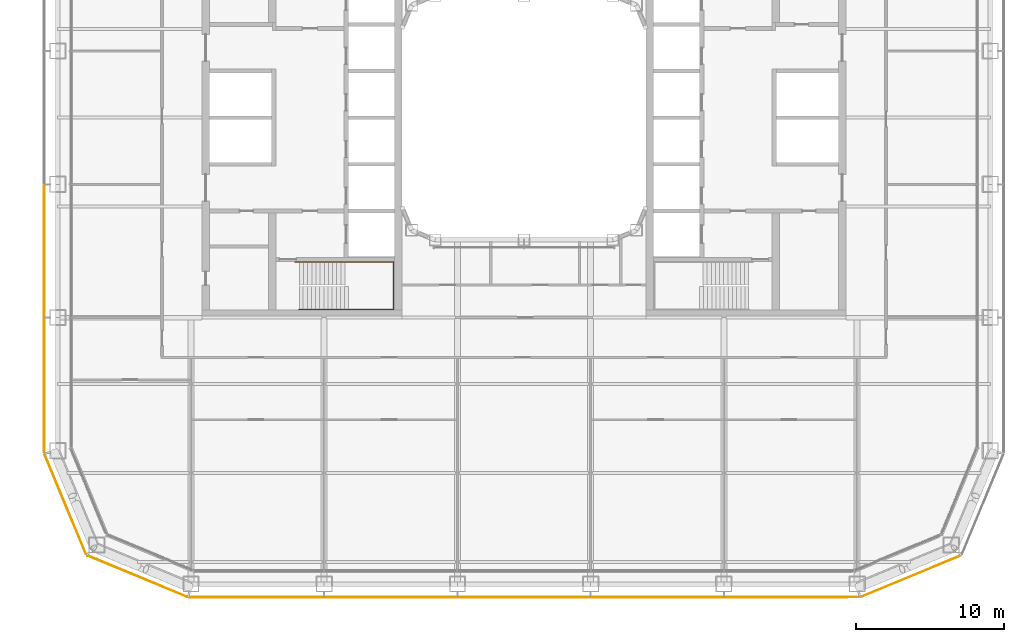
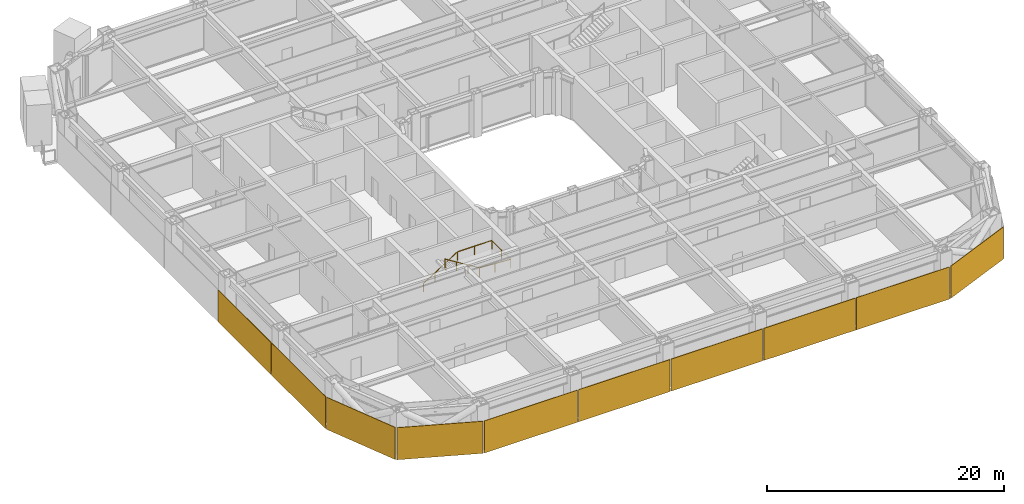
# One storey, part 23 of 28: 10 coverings, 1 railing.
"""IFC4 building model written with IfcOpenShell, lengths in metres."""

import ifcopenshell
import ifcopenshell.guid

model = None  # the IFC model being written
_history = None  # IfcOwnerHistory: only IFC2X3 demands one
_inside = {}  # id of a spatial element -> (the spatial element, [elements in it])
_under = {}  # id of a project, library or spatial element -> (it, [spatial elements below it])
_declared = {}  # id of a project -> (the project, [libraries it declares])
_typed = {}  # id of a type object -> (the type object, [elements of that type])
_made_of = {}  # id of a material, layer set ... -> (it, [elements and type objects made of it])


def new_model(schema):
    """Start an empty IFC model of exactly this schema.

    Asked for "IFC4X3", IfcOpenShell would pick the latest addendum, in which some entities
    have other attributes; the version numbers below select the first issue.
    IFC2X3 requires an IfcOwnerHistory on every rooted entity: one is made here for all.
    """
    global model, _history
    if schema == "IFC4X3":
        model = ifcopenshell.file(schema_version=(4, 3, 0, 0))
    else:
        model = ifcopenshell.file(schema=schema)
    _inside.clear()
    _under.clear()
    _declared.clear()
    _typed.clear()
    _made_of.clear()
    _history = None
    if model.schema == "IFC2X3":
        org = make("IfcOrganization", Name="unknown")
        user = make(
            "IfcPersonAndOrganization",
            ThePerson=make("IfcPerson", FamilyName="unknown"),
            TheOrganization=org,
        )
        app = make(
            "IfcApplication",
            ApplicationDeveloper=org,
            Version="unknown",
            ApplicationFullName="unknown",
            ApplicationIdentifier="unknown",
        )
        _history = make(
            "IfcOwnerHistory",
            OwningUser=user,
            OwningApplication=app,
            ChangeAction="ADDED",
            CreationDate=0,
        )
    return model


def make(cls, **values):
    """One entity of the class cls with the attributes given. An attribute that is None is left unset."""
    return model.create_entity(
        cls, **{name: value for name, value in values.items() if value is not None}
    )


def rooted(cls, **values):
    """An entity with a GlobalId (a new one), such as an element, a storey or a relation."""
    return make(cls, GlobalId=ifcopenshell.guid.new(), OwnerHistory=_history, **values)


def si_unit(unit_type, name, prefix=None):
    """IfcSIUnit, for example si_unit("LENGTHUNIT", "METRE", prefix="MILLI")."""
    return make("IfcSIUnit", UnitType=unit_type, Prefix=prefix, Name=name)


def assignment(units):
    """IfcUnitAssignment: the units of a project."""
    return None if units is None else make("IfcUnitAssignment", Units=units)


def point(xyz):
    """IfcCartesianPoint."""
    return None if xyz is None else make("IfcCartesianPoint", Coordinates=xyz)


def direction(xyz):
    """IfcDirection."""
    return None if xyz is None else make("IfcDirection", DirectionRatios=xyz)


def frame(location, z_axis=None, x_axis=None):
    """IfcAxis2Placement3D, a coordinate frame: its origin and axes. An axis left out is left unset."""
    return make(
        "IfcAxis2Placement3D",
        Location=point(location),
        Axis=direction(z_axis),
        RefDirection=direction(x_axis),
    )


def frame_2d(location, x_axis=None):
    """IfcAxis2Placement2D, a coordinate frame in the plane: its origin and x axis."""
    return make(
        "IfcAxis2Placement2D", Location=point(location), RefDirection=direction(x_axis)
    )


def origin():
    """The frame at (0, 0, 0) with its axes left unset."""
    return frame((0.0, 0.0, 0.0))


def origin_2d():
    """The frame at (0, 0) in the plane with its x axis left unset."""
    return frame_2d((0.0, 0.0))


def place(relative_to, where):
    """IfcLocalPlacement: puts the frame where relative to a parent placement (None: the world)."""
    return make(
        "IfcLocalPlacement", PlacementRelTo=relative_to, RelativePlacement=where
    )


def context(
    kind, dimensions, precision=None, world=None, true_north=None, identifier=None
):
    """IfcGeometricRepresentationContext, for example the 3D "Model" context."""
    return make(
        "IfcGeometricRepresentationContext",
        ContextIdentifier=identifier,
        ContextType=kind,
        CoordinateSpaceDimension=dimensions,
        Precision=precision,
        WorldCoordinateSystem=world,
        TrueNorth=true_north,
    )


def subcontext(parent, identifier, kind, view, scale=None):
    """IfcGeometricRepresentationSubContext, for example "Body" below "Model"."""
    return make(
        "IfcGeometricRepresentationSubContext",
        ContextIdentifier=identifier,
        ContextType=kind,
        ParentContext=parent,
        TargetScale=scale,
        TargetView=view,
    )


def project(units=None, contexts=None):
    """IfcProject with its units and contexts."""
    return rooted(
        "IfcProject",
        Name="project",
        RepresentationContexts=contexts,
        UnitsInContext=assignment(units),
    )


def spatial(cls, under=None, at=None, **own):
    """A site, building, storey or space (cls), placed at a placement, below another one or the project."""
    s = rooted(cls, ObjectPlacement=at, **own)
    if under is not None:
        _under.setdefault(under.id(), (under, []))[1].append(s)
    return s


def profile(cls, at=None, kind="AREA", **sizes):
    """A parametric profile (cls). Its sizes go by their IFC names, for example OverallWidth=200.0."""
    return make(cls, ProfileType=kind, Position=at, **sizes)


def rectangle(**sizes):
    """IfcRectangleProfileDef."""
    return profile("IfcRectangleProfileDef", **sizes)


def circle(**sizes):
    """IfcCircleProfileDef."""
    return profile("IfcCircleProfileDef", **sizes)


def extrude(swept, where, along, depth):
    """IfcExtrudedAreaSolid: the profile swept, set in the frame where, extruded along a direction by depth."""
    return make(
        "IfcExtrudedAreaSolid",
        SweptArea=swept,
        Position=where,
        ExtrudedDirection=direction(along),
        Depth=depth,
    )


def shape(context_of_items, identifier, shape_type, items):
    """IfcShapeRepresentation: the items that make up one representation, for example the "Body"."""
    return make(
        "IfcShapeRepresentation",
        ContextOfItems=context_of_items,
        RepresentationIdentifier=identifier,
        RepresentationType=shape_type,
        Items=items,
    )


def material(Name=None, Category=None):
    """IfcMaterial."""
    return make("IfcMaterial", Name=Name, Category=Category)


def layer(
    of_material, thickness, ventilated=None, Name=None, Category=None, Priority=None
):
    """IfcMaterialLayer: one layer of a wall or slab, of a material (None: an air gap)."""
    return make(
        "IfcMaterialLayer",
        Material=of_material,
        LayerThickness=thickness,
        IsVentilated=ventilated,
        Name=Name,
        Category=Category,
        Priority=Priority,
    )


def layer_set(layers, Name=None):
    """IfcMaterialLayerSet."""
    return make("IfcMaterialLayerSet", MaterialLayers=layers, LayerSetName=Name)


def made_of(thing, what):
    """Note that an element or type object is made of a material, layer set ...; save() writes the relation."""
    if what is not None:
        _made_of.setdefault(what.id(), (what, []))[1].append(thing)
    return thing


def type_object(cls, material=None, **own):
    """A type object (cls), such as IfcWallType, which elements share."""
    return made_of(rooted(cls, **own), material)


def element(
    cls,
    number,
    at=None,
    inside=None,
    cuts=None,
    type_object=None,
    material=None,
    context=None,
    identifier="Body",
    shape_type=None,
    held_by="IfcProductDefinitionShape",
    body=None,
    shapes=None,
    **own,
):
    """One element of the class cls, such as IfcWall. Its Tag is "e" and its number.

    at: its placement. inside: the storey or other place that contains it. cuts: it is an
    opening in that element (IfcRelVoidsElement). A single representation is given by context,
    identifier, shape_type and body (its items); several are given by shapes. held_by: the class
    of the entity that holds the representations. save() writes the other relations.
    """
    e = rooted(cls, Tag="e%d" % number, ObjectPlacement=at, **own)
    if body is not None:
        shapes = [shape(context, identifier, shape_type, body)]
    if shapes is not None:
        e.Representation = make(held_by, Representations=shapes)
    if inside is not None:
        _inside.setdefault(inside.id(), (inside, []))[1].append(e)
    if cuts is not None:
        rooted(
            "IfcRelVoidsElement", RelatingBuildingElement=cuts, RelatedOpeningElement=e
        )
    if type_object is not None:
        _typed.setdefault(type_object.id(), (type_object, []))[1].append(e)
    return made_of(e, material)


def aggregate(whole, parts):
    """IfcRelAggregates: a whole, such as a stair, and the parts it consists of."""
    return rooted("IfcRelAggregates", RelatingObject=whole, RelatedObjects=parts)


def save(model, path):
    """Write the relations noted so far, then the file.

    IfcRelAggregates (storeys below a building ...), IfcRelContainedInSpatialStructure (elements
    in a storey), IfcRelDefinesByType, IfcRelAssociatesMaterial and IfcRelDeclares: one each for
    every whole, place, type object, material and project.
    """
    for whole, parts in _under.values():
        aggregate(whole, parts)
    for where, things in _inside.values():
        rooted(
            "IfcRelContainedInSpatialStructure",
            RelatedElements=things,
            RelatingStructure=where,
        )
    for kind, things in _typed.values():
        rooted("IfcRelDefinesByType", RelatedObjects=things, RelatingType=kind)
    for what, things in _made_of.values():
        rooted("IfcRelAssociatesMaterial", RelatedObjects=things, RelatingMaterial=what)
    for by, libraries in _declared.values():
        rooted("IfcRelDeclares", RelatingContext=by, RelatedDefinitions=libraries)
    model.write(path)


model = new_model("IFC4")

# Units and contexts
model_context = context("Model", 3, precision=1e-05, world=origin(), true_north=direction((0.0, 1.0)))
body_context = subcontext(model_context, "Body", "Model", "MODEL_VIEW")
ifc_project = project(units=[si_unit("LENGTHUNIT", "METRE"), si_unit("AREAUNIT", "SQUARE_METRE"), si_unit("VOLUMEUNIT", "CUBIC_METRE"), si_unit("PLANEANGLEUNIT", "RADIAN"), si_unit("MASSUNIT", "GRAM", prefix="KILO")], contexts=[model_context])

# Site, building, storey
site_placement = place(None, origin())
site = spatial("IfcSite", under=ifc_project, at=site_placement, CompositionType="ELEMENT")
building_placement = place(site_placement, origin())
building = spatial("IfcBuilding", under=site, at=building_placement, Name="Siwar Civic Tower", CompositionType="ELEMENT")
storey_placement = place(building_placement, frame((0.0, 0.0, 31.199951171875)))
storey = spatial("IfcBuildingStorey", under=building, at=storey_placement, Name="L06", CompositionType="ELEMENT", Elevation=31.199951171875)

# Railing
ifc_material_1 = material(Name="Stainless steel", Category="steel")
railing_type = type_object("IfcRailingType", Name="CORE-STAIR-HANDRAIL", PredefinedType="HANDRAIL", material=ifc_material_1)
railing_placement = place(storey_placement, frame((-15.449951171875, -9.758056640625, 0.173095703125)))
element("IfcRailing", 1, at=railing_placement, inside=storey, type_object=railing_type, Name="Stair handrail ST2", PredefinedType="HANDRAIL", context=body_context, shape_type="SweptSolid", body=[
    extrude(circle(Radius=0.02001953125, at=origin_2d()), frame((0.0, 0.0, 0.8798828125), z_axis=(0.847063342986, 0.0, 0.531491950051), x_axis=(0.0, 1.0, 0.0)), (0.0, 0.0, 1.0), 3.90771484375),
    extrude(circle(Radius=0.02001953125, at=origin_2d()), frame((3.31005859375, 0.0, 2.956787109375), z_axis=(1.0, 0.0, 0.0), x_axis=(0.0, 1.0, 0.0)), (0.0, 0.0, 1.0), 3.331787109375),
    extrude(circle(Radius=0.02001953125, at=origin_2d()), frame((6.641845703125, 0.0, 2.956787109375), z_axis=(0.0, -1.0, 0.0), x_axis=(1.0, 0.0, 0.0)), (0.0, 0.0, 1.0), 3.183837890625),
    extrude(circle(Radius=0.02001953125, at=origin_2d()), frame((6.641845703125, -3.183837890625, 2.956787109375), z_axis=(-0.99837434197, 0.0, 0.056997134106), x_axis=(0.0, -1.0, 0.0)), (0.0, 0.0, 1.0), 3.036865234375),
    extrude(circle(Radius=0.02001953125, at=origin_2d()), frame((3.60986328125, -3.183837890625, 3.1298828125), z_axis=(-0.850606129759, 0.0, 0.525803396734), x_axis=(0.0, -1.0, 0.0)), (0.0, 0.0, 1.0), 3.949951171875),
    extrude(circle(Radius=0.02001953125, at=origin_2d()), origin(), (0.0, 0.0, 1.0), 0.85986328125),
    extrude(circle(Radius=0.02001953125, at=origin_2d()), frame((1.103271484375, 0.0, 0.6923828125)), (0.0, 0.0, 1.0), 0.85986328125),
    extrude(circle(Radius=0.02001953125, at=origin_2d()), frame((2.206787109375, 0.0, 1.384521484375)), (0.0, 0.0, 1.0), 0.85986328125),
    extrude(circle(Radius=0.02001953125, at=origin_2d()), frame((3.31005859375, 0.0, 2.076904296875)), (0.0, 0.0, 1.0), 0.85986328125),
    extrude(circle(Radius=0.02001953125, at=origin_2d()), frame((4.97607421875, 0.0, 2.076904296875)), (0.0, 0.0, 1.0), 0.85986328125),
    extrude(circle(Radius=0.02001953125, at=origin_2d()), frame((6.641845703125, 0.0, 2.076904296875)), (0.0, 0.0, 1.0), 0.85986328125),
    extrude(circle(Radius=0.02001953125, at=origin_2d()), frame((6.641845703125, -1.591796875, 2.076904296875)), (0.0, 0.0, 1.0), 0.85986328125),
    extrude(circle(Radius=0.02001953125, at=origin_2d()), frame((6.641845703125, -3.183837890625, 2.076904296875)), (0.0, 0.0, 1.0), 0.85986328125),
    extrude(circle(Radius=0.02001953125, at=origin_2d()), frame((5.1259765625, -3.183837890625, 2.16357421875)), (0.0, 0.0, 1.0), 0.85986328125),
    extrude(circle(Radius=0.02001953125, at=origin_2d()), frame((3.60986328125, -3.183837890625, 2.25)), (0.0, 0.0, 1.0), 0.85986328125),
    extrude(circle(Radius=0.02001953125, at=origin_2d()), frame((2.489990234375, -3.183837890625, 2.9423828125)), (0.0, 0.0, 1.0), 0.85986328125),
    extrude(circle(Radius=0.02001953125, at=origin_2d()), frame((1.369873046875, -3.183837890625, 3.634521484375)), (0.0, 0.0, 1.0), 0.85986328125),
    extrude(circle(Radius=0.02001953125, at=origin_2d()), frame((0.25, -3.183837890625, 4.326904296875)), (0.0, 0.0, 1.0), 0.85986328125),
])

# Coverings
ifc_material_2 = material(Name="Perforated aluminium cassette, pale metal", Category="aluminium")
ifc_layer_1 = layer(ifc_material_2, 0.050048828125)
ifc_layer_set_1 = layer_set([ifc_layer_1], Name="Perforated aluminium cassette, pale metal")
covering_type_1 = type_object("IfcCoveringType", Name="ENV-OUTER SKIN OS-3", PredefinedType="CLADDING", material=ifc_layer_set_1)
covering_1_placement = place(storey_placement, frame((26.115966796875, -30.976318359375, -0.14990234375), z_axis=(0.0, 0.0, 1.0), x_axis=(0.923879532511, 0.382683432365, 0.0)))
element("IfcCovering", 2, at=covering_1_placement, inside=storey, type_object=covering_type_1, Name="OUTER SKIN OS-3 SE1 1", PredefinedType="CLADDING", context=body_context, shape_type="SweptSolid", body=[
    extrude(rectangle(XDim=7.300048828125, YDim=0.050048828125, at=origin_2d()), origin(), (0.0, 0.0, 1.0), 3.300048828125),
])
covering_2_placement = place(storey_placement, frame((-32.39990234375, -9.0, -0.14990234375), z_axis=(0.0, 0.0, 1.0), x_axis=(0.0, -1.0, 0.0)))
element("IfcCovering", 3, at=covering_2_placement, inside=storey, type_object=covering_type_1, Name="OUTER SKIN OS-3 W 4", PredefinedType="CLADDING", context=body_context, shape_type="SweptSolid", body=[
    extrude(rectangle(XDim=8.89990234375, YDim=0.050048828125, at=origin_2d()), origin(), (0.0, 0.0, 1.0), 3.300048828125),
])
covering_3_placement = place(storey_placement, frame((-32.39990234375, -18.07958984375, -0.14990234375), z_axis=(0.0, 0.0, 1.0), x_axis=(0.0, -1.0, 0.0)))
element("IfcCovering", 4, at=covering_3_placement, inside=storey, type_object=covering_type_1, Name="OUTER SKIN OS-3 W 5", PredefinedType="CLADDING", context=body_context, shape_type="SweptSolid", body=[
    extrude(rectangle(XDim=9.05908203125, YDim=0.050048828125, at=origin_2d()), origin(), (0.0, 0.0, 1.0), 3.300048828125),
])
ifc_material_3 = material(Name="Perforated aluminium cassette, pale metal", Category="aluminium")
ifc_layer_2 = layer(ifc_material_3, 0.054931640625)
ifc_layer_set_2 = layer_set([ifc_layer_2], Name="Perforated aluminium cassette, pale metal")
covering_type_2 = type_object("IfcCoveringType", Name="ENV-OUTER SKIN OS-4", PredefinedType="CLADDING", material=ifc_layer_set_2)
covering_4_placement = place(storey_placement, frame((-18.07958984375, -32.39990234375, -0.14990234375), z_axis=(0.0, 0.0, 1.0), x_axis=(1.0, 0.0, 0.0)))
element("IfcCovering", 5, at=covering_4_placement, inside=storey, type_object=covering_type_2, Name="OUTER SKIN OS-4 S 1", PredefinedType="CLADDING", context=body_context, shape_type="SweptSolid", body=[
    extrude(rectangle(XDim=9.05908203125, YDim=0.054931640625, at=origin_2d()), origin(), (0.0, 0.0, 1.0), 3.300048828125),
])
for number, where, z_axis, x_axis, name in (
    (6, (-9.0, -32.39990234375, -0.14990234375), (0.0, 0.0, 1.0), (1.0, 0.0, 0.0), "OUTER SKIN OS-4 S 2"),
    (7, (0.0, -32.39990234375, -0.14990234375), (0.0, 0.0, 1.0), (1.0, 0.0, 0.0), "OUTER SKIN OS-4 S 3"),
    (8, (9.0, -32.39990234375, -0.14990234375), (0.0, 0.0, 1.0), (1.0, 0.0, 0.0), "OUTER SKIN OS-4 S 4"),
):
    element("IfcCovering", number, at=place(storey_placement, frame(where, z_axis=z_axis, x_axis=x_axis)), inside=storey, type_object=covering_type_2, Name=name, PredefinedType="CLADDING", context=body_context, shape_type="SweptSolid", body=[
        extrude(rectangle(XDim=8.89990234375, YDim=0.054931640625, at=origin_2d()), origin(), (0.0, 0.0, 1.0), 3.300048828125),
    ])
covering_5_placement = place(storey_placement, frame((18.07958984375, -32.39990234375, -0.14990234375), z_axis=(0.0, 0.0, 1.0), x_axis=(1.0, 0.0, 0.0)))
element("IfcCovering", 9, at=covering_5_placement, inside=storey, type_object=covering_type_2, Name="OUTER SKIN OS-4 S 5", PredefinedType="CLADDING", context=body_context, shape_type="SweptSolid", body=[
    extrude(rectangle(XDim=9.05908203125, YDim=0.054931640625, at=origin_2d()), origin(), (0.0, 0.0, 1.0), 3.300048828125),
])
for number, where, z_axis, x_axis, name in (
    (10, (-30.976318359375, -26.115966796875, -0.14990234375), (0.0, 0.0, 1.0), (0.382683432365, -0.923879532511, 0.0), "OUTER SKIN OS-4 SW1 1"),
    (11, (-26.115966796875, -30.976318359375, -0.14990234375), (0.0, 0.0, 1.0), (0.923879532511, -0.382683432365, 0.0), "OUTER SKIN OS-4 SW2 1"),
):
    element("IfcCovering", number, at=place(storey_placement, frame(where, z_axis=z_axis, x_axis=x_axis)), inside=storey, type_object=covering_type_2, Name=name, PredefinedType="CLADDING", context=body_context, shape_type="SweptSolid", body=[
        extrude(rectangle(XDim=7.300048828125, YDim=0.054931640625, at=origin_2d()), origin(), (0.0, 0.0, 1.0), 3.300048828125),
    ])

save(model, "model.ifc")
